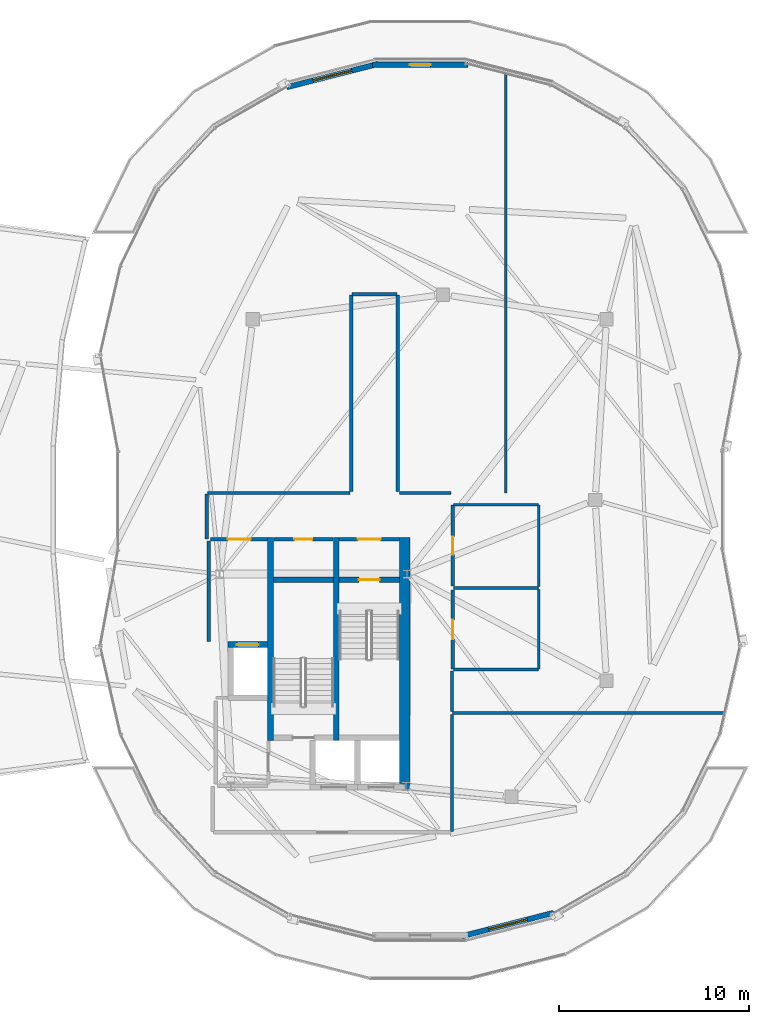
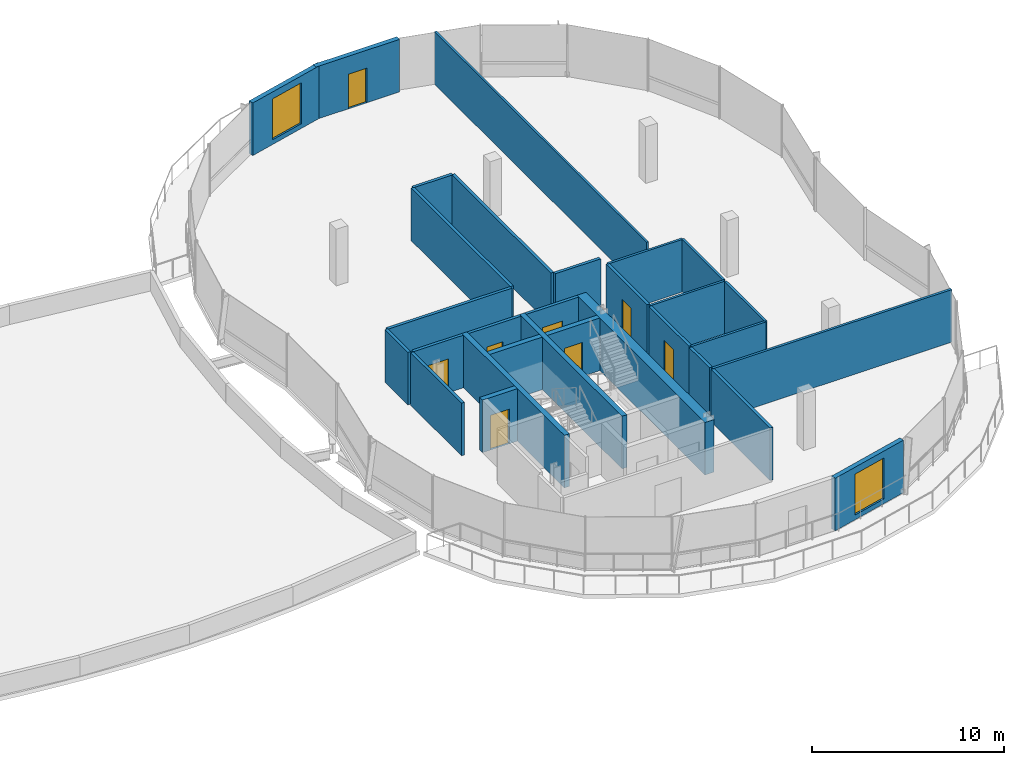
# One storey, part 22 of 31: 30 walls, 8 doors, 2 windows, 10 openings.
"""IFC4 building model written with IfcOpenShell, lengths in metres."""

from ifc_helpers import new_model, si_unit, direction, frame, frame_2d, origin, place, context, subcontext, project, spatial, rectangle, extrude, material, layer, layer_set, type_object, element, fill, save


model = new_model("IFC4")

# Units and contexts
model_context = context("Model", 3, precision=1e-05, world=origin(), true_north=direction((0.0, 1.0)))
body_context = subcontext(model_context, "Body", "Model", "MODEL_VIEW")
ifc_project = project(units=[si_unit("LENGTHUNIT", "METRE"), si_unit("AREAUNIT", "SQUARE_METRE"), si_unit("VOLUMEUNIT", "CUBIC_METRE"), si_unit("PLANEANGLEUNIT", "RADIAN"), si_unit("MASSUNIT", "GRAM", prefix="KILO"), si_unit("THERMODYNAMICTEMPERATUREUNIT", "KELVIN"), si_unit("POWERUNIT", "WATT")], contexts=[model_context])

# Site, building, storey
site_placement = place(None, origin())
site = spatial("IfcSite", under=ifc_project, at=site_placement, CompositionType="ELEMENT")
building_placement = place(site_placement, origin())
building = spatial("IfcBuilding", under=site, at=building_placement, Name="Cundina Bronze Exchange", CompositionType="ELEMENT")
storey_placement = place(building_placement, frame((0.0, 0.0, 275.60009765625)))
storey = spatial("IfcBuildingStorey", under=building, at=storey_placement, Name="L73", CompositionType="ELEMENT", Elevation=275.60009765625)

# Wall
ifc_material_1 = material(Name="Gypsum Fireboard Partition EI120")
ifc_layer_1 = layer(ifc_material_1, 0.179931640625, Name="Gypsum Fireboard Partition EI120")
ifc_layer_set_1 = layer_set([ifc_layer_1], Name="Gypsum Fireboard Partition EI120")
wall_type_1 = type_object("IfcWallType", Name="WL-COR-180", PredefinedType="PARTITIONING", material=ifc_layer_set_1)
wall_1_placement = place(storey_placement, frame((20.889892578125, -7.449951171875, 0.0), z_axis=(0.0, 0.0, 1.0), x_axis=(0.0, 1.0, 0.0)))
element("IfcWall", 1, at=wall_1_placement, inside=storey, type_object=wall_type_1, Name="L73 E Firefighting Lobby Side Wall", PredefinedType="PARTITIONING", context=body_context, shape_type="SweptSolid", body=[
    extrude(rectangle(XDim=5.300048828125, YDim=0.179931640625, at=frame_2d((2.64990234375, 0.0))), origin(), (0.0, 0.0, 1.0), 3.33984375),
])

# Wall, opening, door
wall_2_placement = place(storey_placement, frame((20.97998046875, -2.06005859375, 0.0), z_axis=(0.0, 0.0, 1.0), x_axis=(1.0, 0.0, 0.0)))
wall_2 = element("IfcWall", 2, at=wall_2_placement, inside=storey, type_object=wall_type_1, Name="L73 E Firefighting Lobby Exit Wall", PredefinedType="PARTITIONING", context=body_context, shape_type="SweptSolid", body=[
    extrude(rectangle(XDim=3.0, YDim=0.179931640625, at=frame_2d((1.5, 0.0))), origin(), (0.0, 0.0, 1.0), 3.33984375),
])
opening_1_placement = place(wall_2_placement, frame((0.89990234375, 0.0, 0.0)))
opening_1 = element("IfcOpeningElement", 3, at=opening_1_placement, cuts=wall_2, Name="Opening DF-01", PredefinedType="OPENING", context=body_context, shape_type="SweptSolid", body=[
    extrude(rectangle(XDim=1.199951171875, YDim=2.14990234375, at=frame_2d((0.60009765625, 1.074951171875))), frame((0.0, 0.099853515625, 0.0), z_axis=(0.0, -1.0, 0.0), x_axis=(1.0, 0.0, 0.0)), (0.0, 0.0, 1.0), 0.199951171875),
])
ifc_material_2 = material(Name="Steel ASTM A36 Painted", Category="steel")
door_type_1 = type_object("IfcDoorType", Name="DR-FFL-1200", OperationType="NOTDEFINED", PredefinedType="DOOR", material=ifc_material_2)
door_1_placement = place(opening_1_placement, origin())
door_1 = element("IfcDoor", 4, at=door_1_placement, inside=storey, type_object=door_type_1, Name="L73 E Firefighting Lobby Door", OperationType="SINGLE_SWING_LEFT", OverallHeight=2.14990234375, OverallWidth=1.199951171875, PredefinedType="DOOR", context=body_context, shape_type="SweptSolid", body=[
    extrude(rectangle(XDim=1.199951171875, YDim=2.14990234375, at=frame_2d((0.60009765625, 1.074951171875))), frame((0.0, 0.02490234375, 0.0), z_axis=(0.0, -1.0, 0.0), x_axis=(1.0, 0.0, 0.0)), (0.0, 0.0, 1.0), 0.050048828125),
])
fill(opening_1, door_1)

wall_3_placement = place(storey_placement, frame((27.739990234375, -2.06005859375, 0.0), z_axis=(0.0, 0.0, 1.0), x_axis=(1.0, 0.0, 0.0)))
wall_3 = element("IfcWall", 5, at=wall_3_placement, inside=storey, type_object=wall_type_1, Name="L73 E Stair Vestibule Exit Wall", PredefinedType="PARTITIONING", context=body_context, shape_type="SweptSolid", body=[
    extrude(rectangle(XDim=3.159912109375, YDim=0.179931640625, at=frame_2d((1.580078125, 0.0))), origin(), (0.0, 0.0, 1.0), 3.33984375),
])
opening_2_placement = place(wall_3_placement, frame((0.97998046875, 0.0, 0.0)))
opening_2 = element("IfcOpeningElement", 6, at=opening_2_placement, cuts=wall_3, Name="Opening DF-01", PredefinedType="OPENING", context=body_context, shape_type="SweptSolid", body=[
    extrude(rectangle(XDim=1.199951171875, YDim=2.14990234375, at=frame_2d((0.60009765625, 1.074951171875))), frame((0.0, 0.099853515625, 0.0), z_axis=(0.0, -1.0, 0.0), x_axis=(1.0, 0.0, 0.0)), (0.0, 0.0, 1.0), 0.199951171875),
])
door_2_placement = place(opening_2_placement, origin())
door_2 = element("IfcDoor", 7, at=door_2_placement, inside=storey, type_object=door_type_1, Name="L73 E Stair Vestibule Door", OperationType="SINGLE_SWING_RIGHT", OverallHeight=2.14990234375, OverallWidth=1.199951171875, PredefinedType="DOOR", context=body_context, shape_type="SweptSolid", body=[
    extrude(rectangle(XDim=1.199951171875, YDim=2.14990234375, at=frame_2d((0.60009765625, 1.074951171875))), frame((0.0, 0.02490234375, 0.0), z_axis=(0.0, -1.0, 0.0), x_axis=(1.0, 0.0, 0.0)), (0.0, 0.0, 1.0), 0.050048828125),
])
fill(opening_2, door_2)

wall_4_placement = place(storey_placement, frame((24.300048828125, -2.070068359375, 0.0), z_axis=(0.0, 0.0, 1.0), x_axis=(1.0, 0.0, 0.0)))
wall_4 = element("IfcWall", 8, at=wall_4_placement, inside=storey, type_object=wall_type_1, Name="L73 Interior Partition 027", PredefinedType="PARTITIONING", context=body_context, shape_type="SweptSolid", body=[
    extrude(rectangle(XDim=3.119873046875, YDim=0.179931640625, at=frame_2d((1.56005859375, 0.0))), origin(), (0.0, 0.0, 1.0), 3.33984375),
])
opening_3_placement = place(wall_4_placement, frame((1.0849609375, 0.0, 0.0)))
opening_3 = element("IfcOpeningElement", 9, at=opening_3_placement, cuts=wall_4, Name="Opening DW-01", PredefinedType="OPENING", context=body_context, shape_type="SweptSolid", body=[
    extrude(rectangle(XDim=0.949951171875, YDim=2.10009765625, at=frame_2d((0.47509765625, 1.050048828125))), frame((0.0, 0.099853515625, 0.0), z_axis=(0.0, -1.0, 0.0), x_axis=(1.0, 0.0, 0.0)), (0.0, 0.0, 1.0), 0.199951171875),
])
ifc_material_3 = material(Name="Solid Andean Oak Timber Grade A", Category="wood")
door_type_2 = type_object("IfcDoorType", Name="DR-WC-950", OperationType="NOTDEFINED", PredefinedType="DOOR", material=ifc_material_3)
door_3_placement = place(opening_3_placement, origin())
door_3 = element("IfcDoor", 10, at=door_3_placement, inside=storey, type_object=door_type_2, Name="L73 Interior Door 027", OperationType="SINGLE_SWING_RIGHT", OverallHeight=2.10009765625, OverallWidth=0.949951171875, PredefinedType="DOOR", context=body_context, shape_type="SweptSolid", body=[
    extrude(rectangle(XDim=0.949951171875, YDim=2.10009765625, at=frame_2d((0.47509765625, 1.050048828125))), frame((0.0, 0.02490234375, 0.0), z_axis=(0.0, -1.0, 0.0), x_axis=(1.0, 0.0, 0.0)), (0.0, 0.0, 1.0), 0.050048828125),
])
fill(opening_3, door_3)

wall_5_placement = place(storey_placement, frame((33.719970703125, -4.530029296875, 0.0), z_axis=(0.0, 0.0, 1.0), x_axis=(0.0, 1.0, 0.0)))
wall_5 = element("IfcWall", 11, at=wall_5_placement, inside=storey, type_object=wall_type_1, Name="L73 Interior Partition 034", PredefinedType="PARTITIONING", context=body_context, shape_type="SweptSolid", body=[
    extrude(rectangle(XDim=4.260009765625, YDim=0.179931640625, at=frame_2d((2.1298828125, 0.0))), origin(), (0.0, 0.0, 1.0), 3.33984375),
])
opening_4_placement = place(wall_5_placement, frame((1.655029296875, 0.0, 0.0)))
opening_4 = element("IfcOpeningElement", 12, at=opening_4_placement, cuts=wall_5, Name="Opening DW-01", PredefinedType="OPENING", context=body_context, shape_type="SweptSolid", body=[
    extrude(rectangle(XDim=0.949951171875, YDim=2.10009765625, at=frame_2d((0.47509765625, 1.050048828125))), frame((0.0, 0.099853515625, 0.0), z_axis=(0.0, -1.0, 0.0), x_axis=(1.0, 0.0, 0.0)), (0.0, 0.0, 1.0), 0.199951171875),
])
door_4_placement = place(opening_4_placement, origin())
door_4 = element("IfcDoor", 13, at=door_4_placement, inside=storey, type_object=door_type_2, Name="L73 Interior Door 034", OperationType="SINGLE_SWING_RIGHT", OverallHeight=2.10009765625, OverallWidth=0.949951171875, PredefinedType="DOOR", context=body_context, shape_type="SweptSolid", body=[
    extrude(rectangle(XDim=0.949951171875, YDim=2.10009765625, at=frame_2d((0.47509765625, 1.050048828125))), frame((0.0, 0.02490234375, 0.0), z_axis=(0.0, -1.0, 0.0), x_axis=(1.0, 0.0, 0.0)), (0.0, 0.0, 1.0), 0.050048828125),
])
fill(opening_4, door_4)

wall_6_placement = place(storey_placement, frame((33.719970703125, -8.889892578125, 0.0), z_axis=(0.0, 0.0, 1.0), x_axis=(0.0, 1.0, 0.0)))
wall_6 = element("IfcWall", 14, at=wall_6_placement, inside=storey, type_object=wall_type_1, Name="L73 Interior Partition 035", PredefinedType="PARTITIONING", context=body_context, shape_type="SweptSolid", body=[
    extrude(rectangle(XDim=4.159912109375, YDim=0.179931640625, at=frame_2d((2.080078125, 0.0))), origin(), (0.0, 0.0, 1.0), 3.33984375),
])
opening_5_placement = place(wall_6_placement, frame((1.580078125, 0.0, 0.0)))
opening_5 = element("IfcOpeningElement", 15, at=opening_5_placement, cuts=wall_6, Name="Opening DO-01", PredefinedType="OPENING", context=body_context, shape_type="SweptSolid", body=[
    extrude(rectangle(XDim=1.0, YDim=2.14990234375, at=frame_2d((0.5, 1.074951171875))), frame((0.0, 0.099853515625, 0.0), z_axis=(0.0, -1.0, 0.0), x_axis=(1.0, 0.0, 0.0)), (0.0, 0.0, 1.0), 0.199951171875),
])
door_type_3 = type_object("IfcDoorType", Name="DR-OFF-1000", OperationType="NOTDEFINED", PredefinedType="DOOR", material=ifc_material_3)
door_5_placement = place(opening_5_placement, origin())
door_5 = element("IfcDoor", 16, at=door_5_placement, inside=storey, type_object=door_type_3, Name="L73 Interior Door 035", OperationType="SINGLE_SWING_RIGHT", OverallHeight=2.14990234375, OverallWidth=1.0, PredefinedType="DOOR", context=body_context, shape_type="SweptSolid", body=[
    extrude(rectangle(XDim=1.0, YDim=2.14990234375, at=frame_2d((0.5, 1.074951171875))), frame((0.0, 0.02490234375, 0.0), z_axis=(0.0, -1.0, 0.0), x_axis=(1.0, 0.0, 0.0)), (0.0, 0.0, 1.0), 0.050048828125),
])
fill(opening_5, door_5)

# Walls
for number, where, z_axis, x_axis, name in (
    (17, (30.820068359375, 0.449951171875, 0.0), (0.0, 0.0, 1.0), (0.0, 1.0, 0.0), "L73 Interior Partition 039"),
    (18, (28.3798828125, 10.778564453125, 0.0), (0.0, 0.0, 1.0), (0.0, -1.0, 0.0), "L73 Interior Partition 040"),
):
    element("IfcWall", number, at=place(storey_placement, frame(where, z_axis=z_axis, x_axis=x_axis)), inside=storey, type_object=wall_type_1, Name=name, PredefinedType="PARTITIONING", context=body_context, shape_type="SweptSolid", body=[
        extrude(rectangle(XDim=10.32861328125, YDim=0.179931640625, at=frame_2d((5.164306640625, 0.0))), origin(), (0.0, 0.0, 1.0), 3.33984375),
    ])
wall_7_placement = place(storey_placement, frame((28.300048828125, 0.3701171875, 0.0), z_axis=(0.0, 0.0, 1.0), x_axis=(-1.0, 0.0, 0.0)))
element("IfcWall", 19, at=wall_7_placement, inside=storey, type_object=wall_type_1, Name="L73 Interior Partition 041", PredefinedType="PARTITIONING", context=body_context, shape_type="SweptSolid", body=[
    extrude(rectangle(XDim=7.478515625, YDim=0.179931640625, at=frame_2d((3.7392578125, 0.0))), origin(), (0.0, 0.0, 1.0), 3.33984375),
])
wall_8_placement = place(storey_placement, frame((33.669921875, -17.428466796875, 0.0), z_axis=(0.0, 0.0, 1.0), x_axis=(0.0, 1.0, 0.0)))
element("IfcWall", 20, at=wall_8_placement, inside=storey, type_object=wall_type_1, Name="L73 Interior Partition 042", PredefinedType="PARTITIONING", context=body_context, shape_type="SweptSolid", body=[
    extrude(rectangle(XDim=6.138427734375, YDim=0.179931640625, at=frame_2d((3.0693359375, 0.0))), origin(), (0.0, 0.0, 1.0), 3.33984375),
])
wall_9_placement = place(storey_placement, frame((33.62841796875, 0.3701171875, 0.0), z_axis=(0.0, 0.0, 1.0), x_axis=(-1.0, 0.0, 0.0)))
element("IfcWall", 21, at=wall_9_placement, inside=storey, type_object=wall_type_1, Name="L73 Interior Partition 043", PredefinedType="PARTITIONING", context=body_context, shape_type="SweptSolid", body=[
    extrude(rectangle(XDim=2.728515625, YDim=0.179931640625, at=frame_2d((1.3642578125, 0.0))), origin(), (0.0, 0.0, 1.0), 3.33984375),
])
wall_10_placement = place(storey_placement, frame((20.780029296875, 0.32861328125, 0.0), z_axis=(0.0, 0.0, 1.0), x_axis=(0.0, -1.0, 0.0)))
element("IfcWall", 22, at=wall_10_placement, inside=storey, type_object=wall_type_1, Name="L73 Interior Partition 044", PredefinedType="PARTITIONING", context=body_context, shape_type="SweptSolid", body=[
    extrude(rectangle(XDim=2.38720703125, YDim=0.179931640625, at=frame_2d((1.193603515625, 0.0))), origin(), (0.0, 0.0, 1.0), 3.33984375),
])
wall_11_placement = place(storey_placement, frame((30.778564453125, 10.820068359375, 0.0), z_axis=(0.0, 0.0, 1.0), x_axis=(-1.0, 0.0, 0.0)))
element("IfcWall", 23, at=wall_11_placement, inside=storey, type_object=wall_type_1, Name="L73 Interior Partition 045", PredefinedType="PARTITIONING", context=body_context, shape_type="SweptSolid", body=[
    extrude(rectangle(XDim=2.357177734375, YDim=0.179931640625, at=frame_2d((1.1787109375, 0.0))), origin(), (0.0, 0.0, 1.0), 3.33984375),
])
wall_12_placement = place(storey_placement, frame((33.669921875, -11.110107421875, 0.0), z_axis=(0.0, 0.0, 1.0), x_axis=(0.0, 1.0, 0.0)))
element("IfcWall", 24, at=wall_12_placement, inside=storey, type_object=wall_type_1, Name="L73 Interior Partition 047", PredefinedType="PARTITIONING", context=body_context, shape_type="SweptSolid", body=[
    extrude(rectangle(XDim=2.108642578125, YDim=0.179931640625, at=frame_2d((1.05419921875, 0.0))), origin(), (0.0, 0.0, 1.0), 3.33984375),
])
ifc_material_4 = material(Name="Concrete C50/60", Category="concrete")
ifc_layer_2 = layer(ifc_material_4, 0.550048828125, Name="Concrete C50/60", Category="concrete")
ifc_layer_set_2 = layer_set([ifc_layer_2], Name="Concrete C50/60")
wall_type_2 = type_object("IfcWallType", Name="WL-CORE-550", PredefinedType="SHEAR", material=ifc_layer_set_2)
wall_13_placement = place(storey_placement, frame((31.175048828125, -15.300048828125, 0.0), z_axis=(0.0, 0.0, 1.0), x_axis=(0.0, 1.0, 0.0)))
element("IfcWall", 25, at=wall_13_placement, inside=storey, type_object=wall_type_2, Name="L73 E Primary Core Shear Spine Wall", PredefinedType="SHEAR", context=body_context, shape_type="SweptSolid", body=[
    extrude(rectangle(XDim=13.330078125, YDim=0.550048828125, at=frame_2d((6.6650390625, 0.0))), origin(), (0.0, 0.0, 1.0), 3.33984375),
])

# Wall, opening, door
ifc_material_5 = material(Name="Precast Concrete C45/55", Category="concrete")
ifc_layer_3 = layer(ifc_material_5, 0.280029296875, Name="Precast Concrete C45/55", Category="concrete")
ifc_layer_set_3 = layer_set([ifc_layer_3], Name="Precast Concrete C45/55")
wall_type_3 = type_object("IfcWallType", Name="WL-EXT-280", PredefinedType="SOLIDWALL", material=ifc_layer_set_3)
wall_14_placement = place(storey_placement, frame((34.517578125, 22.894775390625, 0.0), z_axis=(0.0, 0.0, 1.0), x_axis=(-1.0, 0.0, 0.0)))
wall_14 = element("IfcWall", 26, at=wall_14_placement, inside=storey, type_object=wall_type_3, Name="L73 Leg E Crown Terrace Wall 06", PredefinedType="SOLIDWALL", context=body_context, shape_type="SweptSolid", body=[
    extrude(rectangle(XDim=5.03515625, YDim=0.280029296875, at=frame_2d((2.517578125, 0.0))), origin(), (0.0, 0.0, 1.0), 3.33984375),
])
opening_6_placement = place(wall_14_placement, frame((1.968017578125, 0.0, 0.0)))
opening_6 = element("IfcOpeningElement", 27, at=opening_6_placement, cuts=wall_14, Name="Opening DT-01", PredefinedType="OPENING", context=body_context, shape_type="SweptSolid", body=[
    extrude(rectangle(XDim=1.10009765625, YDim=2.199951171875, at=frame_2d((0.550048828125, 1.10009765625))), frame((0.0, 0.14990234375, 0.0), z_axis=(0.0, -1.0, 0.0), x_axis=(1.0, 0.0, 0.0)), (0.0, 0.0, 1.0), 0.300048828125),
])
ifc_material_6 = material(Name="Anodised Bronze Aluminium 6063-T6", Category="aluminium")
door_type_4 = type_object("IfcDoorType", Name="DR-TER-1100", OperationType="NOTDEFINED", PredefinedType="DOOR", material=ifc_material_6)
door_6_placement = place(opening_6_placement, origin())
door_6 = element("IfcDoor", 28, at=door_6_placement, inside=storey, type_object=door_type_4, Name="L73 Leg E Planted Terrace Access Door 06", OperationType="SINGLE_SWING_LEFT", OverallHeight=2.199951171875, OverallWidth=1.10009765625, PredefinedType="DOOR", context=body_context, shape_type="SweptSolid", body=[
    extrude(rectangle(XDim=1.10009765625, YDim=2.199951171875, at=frame_2d((0.550048828125, 1.10009765625))), frame((0.0, 0.02490234375, 0.0), z_axis=(0.0, -1.0, 0.0), x_axis=(1.0, 0.0, 0.0)), (0.0, 0.0, 1.0), 0.050048828125),
])
fill(opening_6, door_6)

# Wall, opening, window
wall_15_placement = place(storey_placement, frame((29.79736328125, 22.934326171875, 0.0), z_axis=(0.0, 0.0, 1.0), x_axis=(-0.96898479651, -0.247120343421, 0.0)))
wall_15 = element("IfcWall", 29, at=wall_15_placement, inside=storey, type_object=wall_type_3, Name="L73 Leg E Crown Feature Wall 07", PredefinedType="SOLIDWALL", context=body_context, shape_type="SweptSolid", body=[
    extrude(rectangle(XDim=4.971435546875, YDim=0.280029296875, at=frame_2d((2.48583984375, 0.0))), origin(), (0.0, 0.0, 1.0), 3.33984375),
])
opening_7_placement = place(wall_15_placement, frame((1.43603515625, 0.0, 0.300048828125)))
opening_7 = element("IfcOpeningElement", 30, at=opening_7_placement, cuts=wall_15, Name="Opening W-04", PredefinedType="OPENING", context=body_context, shape_type="SweptSolid", body=[
    extrude(rectangle(XDim=2.10009765625, YDim=2.60009765625, at=frame_2d((1.050048828125, 1.300048828125))), frame((0.0, 0.14990234375, 0.0), z_axis=(0.0, -1.0, 0.0), x_axis=(1.0, 0.0, 0.0)), (0.0, 0.0, 1.0), 0.300048828125),
])
ifc_material_7 = material(Name="Clear Low-E Insulating Glass 26mm", Category="glass")
window_type = type_object("IfcWindowType", Name="WN-CRN-2100", PartitioningType="SINGLE_PANEL", PredefinedType="WINDOW", material=ifc_material_7)
window_1_placement = place(opening_7_placement, origin())
window_1 = element("IfcWindow", 31, at=window_1_placement, inside=storey, type_object=window_type, Name="L73 Leg E Crown Pavilion Window 07", OverallHeight=2.60009765625, OverallWidth=2.10009765625, PartitioningType="SINGLE_PANEL", PredefinedType="WINDOW", context=body_context, shape_type="SweptSolid", body=[
    extrude(rectangle(XDim=2.10009765625, YDim=2.60009765625, at=frame_2d((1.050048828125, 1.300048828125))), frame((0.0, 0.030029296875, 0.0), z_axis=(0.0, -1.0, 0.0), x_axis=(1.0, 0.0, 0.0)), (0.0, 0.0, 1.0), 0.06005859375),
])
fill(opening_7, window_1)

wall_16_placement = place(storey_placement, frame((34.20263671875, -22.934326171875, 0.0), z_axis=(0.0, 0.0, 1.0), x_axis=(0.96898479651, 0.247120343421, 0.0)))
wall_16 = element("IfcWall", 32, at=wall_16_placement, inside=storey, type_object=wall_type_3, Name="L73 Leg E Crown Feature Wall 21", PredefinedType="SOLIDWALL", context=body_context, shape_type="SweptSolid", body=[
    extrude(rectangle(XDim=4.971435546875, YDim=0.280029296875, at=frame_2d((2.48583984375, 0.0))), origin(), (0.0, 0.0, 1.0), 3.33984375),
])
opening_8_placement = place(wall_16_placement, frame((1.43603515625, 0.0, 0.300048828125)))
opening_8 = element("IfcOpeningElement", 33, at=opening_8_placement, cuts=wall_16, Name="Opening W-04", PredefinedType="OPENING", context=body_context, shape_type="SweptSolid", body=[
    extrude(rectangle(XDim=2.10009765625, YDim=2.60009765625, at=frame_2d((1.050048828125, 1.300048828125))), frame((0.0, 0.14990234375, 0.0), z_axis=(0.0, -1.0, 0.0), x_axis=(1.0, 0.0, 0.0)), (0.0, 0.0, 1.0), 0.300048828125),
])
window_2_placement = place(opening_8_placement, origin())
window_2 = element("IfcWindow", 34, at=window_2_placement, inside=storey, type_object=window_type, Name="L73 Leg E Crown Pavilion Window 21", OverallHeight=2.60009765625, OverallWidth=2.10009765625, PartitioningType="SINGLE_PANEL", PredefinedType="WINDOW", context=body_context, shape_type="SweptSolid", body=[
    extrude(rectangle(XDim=2.10009765625, YDim=2.60009765625, at=frame_2d((1.050048828125, 1.300048828125))), frame((0.0, 0.030029296875, 0.0), z_axis=(0.0, -1.0, 0.0), x_axis=(1.0, 0.0, 0.0)), (0.0, 0.0, 1.0), 0.06005859375),
])
fill(opening_8, window_2)

# Walls
ifc_material_8 = material(Name="Gypsum Acoustic Partition EI60")
ifc_layer_4 = layer(ifc_material_8, 0.125, Name="Gypsum Acoustic Partition EI60")
ifc_layer_set_4 = layer_set([ifc_layer_4], Name="Gypsum Acoustic Partition EI60")
wall_type_4 = type_object("IfcWallType", Name="WL-OFF-125", PredefinedType="PARTITIONING", material=ifc_layer_set_4)
wall_17_placement = place(storey_placement, frame((36.5, 0.3701171875, 0.0), z_axis=(0.0, 0.0, 1.0), x_axis=(0.0, 1.0, 0.0)))
element("IfcWall", 35, at=wall_17_placement, inside=storey, type_object=wall_type_4, Name="L73 Interior Partition 036", PredefinedType="PARTITIONING", context=body_context, shape_type="SweptSolid", body=[
    extrude(rectangle(XDim=22.091552734375, YDim=0.125, at=frame_2d((11.0458984375, 0.0))), origin(), (0.0, 0.0, 1.0), 3.33984375),
])
ifc_layer_5 = layer(ifc_material_4, 0.300048828125, Name="Concrete C50/60", Category="concrete")
ifc_layer_set_5 = layer_set([ifc_layer_5], Name="Concrete C50/60")
wall_type_5 = type_object("IfcWallType", Name="WL-SHFT-300", PredefinedType="SHEAR", material=ifc_layer_set_5)
for number, where, z_axis, x_axis, name in (
    (36, (27.590087890625, -12.64990234375, 0.0), (0.0, 0.0, 1.0), (0.0, 1.0, 0.0), "L73 E Stair Shaft Dividing Shear Wall"),
    (37, (24.1298828125, -12.64990234375, 0.0), (0.0, 0.0, 1.0), (0.0, 1.0, 0.0), "L73 E Stair 2 East Shear Wall"),
):
    element("IfcWall", number, at=place(storey_placement, frame(where, z_axis=z_axis, x_axis=x_axis)), inside=storey, type_object=wall_type_5, Name=name, PredefinedType="SHEAR", context=body_context, shape_type="SweptSolid", body=[
        extrude(rectangle(XDim=10.679931640625, YDim=0.300048828125, at=frame_2d((5.33984375, 0.0))), origin(), (0.0, 0.0, 1.0), 3.33984375),
    ])

# Wall, opening, door
wall_18_placement = place(storey_placement, frame((27.739990234375, -4.199951171875, 0.0), z_axis=(0.0, 0.0, 1.0), x_axis=(1.0, 0.0, 0.0)))
wall_18 = element("IfcWall", 38, at=wall_18_placement, inside=storey, type_object=wall_type_5, Name="L73 Stair E1 Landing Wall", PredefinedType="SHEAR", context=body_context, shape_type="SweptSolid", body=[
    extrude(rectangle(XDim=3.159912109375, YDim=0.300048828125, at=frame_2d((1.580078125, 0.0))), origin(), (0.0, 0.0, 1.0), 3.33984375),
])
opening_9_placement = place(wall_18_placement, frame((1.030029296875, 0.0, 0.0)))
opening_9 = element("IfcOpeningElement", 39, at=opening_9_placement, cuts=wall_18, Name="Opening DS-01", PredefinedType="OPENING", context=body_context, shape_type="SweptSolid", body=[
    extrude(rectangle(XDim=1.10009765625, YDim=2.14990234375, at=frame_2d((0.550048828125, 1.074951171875))), frame((0.0, 0.159912109375, 0.0), z_axis=(0.0, -1.0, 0.0), x_axis=(1.0, 0.0, 0.0)), (0.0, 0.0, 1.0), 0.320068359375),
])
door_type_5 = type_object("IfcDoorType", Name="DR-STR-1100", OperationType="NOTDEFINED", PredefinedType="DOOR", material=ifc_material_2)
door_7_placement = place(opening_9_placement, origin())
door_7 = element("IfcDoor", 40, at=door_7_placement, inside=storey, type_object=door_type_5, Name="L73 Smokeproof Stair E1 Door", OperationType="SINGLE_SWING_LEFT", OverallHeight=2.14990234375, OverallWidth=1.10009765625, PredefinedType="DOOR", context=body_context, shape_type="SweptSolid", body=[
    extrude(rectangle(XDim=1.10009765625, YDim=2.14990234375, at=frame_2d((0.550048828125, 1.074951171875))), frame((0.0, 0.02490234375, 0.0), z_axis=(0.0, -1.0, 0.0), x_axis=(1.0, 0.0, 0.0)), (0.0, 0.0, 1.0), 0.050048828125),
])
fill(opening_9, door_7)

# Wall
wall_19_placement = place(storey_placement, frame((24.280029296875, -4.199951171875, 0.0), z_axis=(0.0, 0.0, 1.0), x_axis=(1.0, 0.0, 0.0)))
element("IfcWall", 41, at=wall_19_placement, inside=storey, type_object=wall_type_5, Name="L73 Stair E2 Far Shaft Wall", PredefinedType="SHEAR", context=body_context, shape_type="SweptSolid", body=[
    extrude(rectangle(XDim=3.159912109375, YDim=0.300048828125, at=frame_2d((1.580078125, 0.0))), origin(), (0.0, 0.0, 1.0), 3.33984375),
])

# Wall, opening, door
wall_20_placement = place(storey_placement, frame((21.8798828125, -7.60009765625, 0.0), z_axis=(0.0, 0.0, 1.0), x_axis=(1.0, 0.0, 0.0)))
wall_20 = element("IfcWall", 42, at=wall_20_placement, inside=storey, type_object=wall_type_5, Name="L73 FFL-E Hoistway Front Wall", PredefinedType="SHEAR", context=body_context, shape_type="SweptSolid", body=[
    extrude(rectangle(XDim=2.10009765625, YDim=0.300048828125, at=frame_2d((1.050048828125, 0.0))), origin(), (0.0, 0.0, 1.0), 3.33984375),
])
opening_10_placement = place(wall_20_placement, frame((0.47509765625, 0.0, 0.0)))
opening_10 = element("IfcOpeningElement", 43, at=opening_10_placement, cuts=wall_20, Name="Opening LD-01", PredefinedType="OPENING", context=body_context, shape_type="SweptSolid", body=[
    extrude(rectangle(XDim=1.14990234375, YDim=2.199951171875, at=frame_2d((0.574951171875, 1.10009765625))), frame((0.0, 0.159912109375, 0.0), z_axis=(0.0, -1.0, 0.0), x_axis=(1.0, 0.0, 0.0)), (0.0, 0.0, 1.0), 0.320068359375),
])
door_type_6 = type_object("IfcDoorType", Name="DR-LND-1150", OperationType="NOTDEFINED", PredefinedType="TRAPDOOR", material=ifc_material_2)
door_8_placement = place(opening_10_placement, origin())
door_8 = element("IfcDoor", 44, at=door_8_placement, inside=storey, type_object=door_type_6, Name="L73 FFL-E Sliding Landing Door", OperationType="SLIDING_TO_LEFT", OverallHeight=2.199951171875, OverallWidth=1.14990234375, PredefinedType="TRAPDOOR", context=body_context, shape_type="SweptSolid", body=[
    extrude(rectangle(XDim=1.14990234375, YDim=2.199951171875, at=frame_2d((0.574951171875, 1.10009765625))), frame((0.0, 0.02490234375, 0.0), z_axis=(0.0, -1.0, 0.0), x_axis=(1.0, 0.0, 0.0)), (0.0, 0.0, 1.0), 0.050048828125),
])
fill(opening_10, door_8)

# Walls
ifc_layer_6 = layer(ifc_material_8, 0.14990234375, Name="Gypsum Acoustic Partition EI60")
ifc_layer_set_6 = layer_set([ifc_layer_6], Name="Gypsum Acoustic Partition EI60")
wall_type_6 = type_object("IfcWallType", Name="WL-TEN-150", PredefinedType="PARTITIONING", material=ifc_layer_set_6)
wall_21_placement = place(storey_placement, frame((33.699951171875, -11.199951171875, 0.0), z_axis=(0.0, 0.0, 1.0), x_axis=(1.0, 0.0, 0.0)))
element("IfcWall", 45, at=wall_21_placement, inside=storey, type_object=wall_type_6, Name="L73 Interior Partition 037", PredefinedType="PARTITIONING", context=body_context, shape_type="SweptSolid", body=[
    extrude(rectangle(XDim=14.358154296875, YDim=0.14990234375, at=frame_2d((7.17919921875, 0.0))), origin(), (0.0, 0.0, 1.0), 3.33984375),
])
ifc_material_9 = material(Name="Moisture-Resistant Masonry Block Grade M15", Category="masonry")
ifc_layer_7 = layer(ifc_material_9, 0.139892578125, Name="Moisture-Resistant Masonry Block Grade M15", Category="masonry")
ifc_layer_set_7 = layer_set([ifc_layer_7], Name="Moisture-Resistant Masonry Block Grade M15")
wall_type_7 = type_object("IfcWallType", Name="WL-WET-140", PredefinedType="PARTITIONING", material=ifc_layer_set_7)
wall_22_placement = place(storey_placement, frame((38.239990234375, -8.889892578125, 0.0), z_axis=(0.0, 0.0, 1.0), x_axis=(0.0, 1.0, 0.0)))
element("IfcWall", 46, at=wall_22_placement, inside=storey, type_object=wall_type_7, Name="L73 Interior Partition 029", PredefinedType="PARTITIONING", context=body_context, shape_type="SweptSolid", body=[
    extrude(rectangle(XDim=4.1748046875, YDim=0.139892578125, at=frame_2d((2.08740234375, 0.0))), origin(), (0.0, 0.0, 1.0), 3.33984375),
])
wall_23_placement = place(storey_placement, frame((38.239990234375, -4.544921875, 0.0), z_axis=(0.0, 0.0, 1.0), x_axis=(0.0, 1.0, 0.0)))
element("IfcWall", 47, at=wall_23_placement, inside=storey, type_object=wall_type_7, Name="L73 Interior Partition 030", PredefinedType="PARTITIONING", context=body_context, shape_type="SweptSolid", body=[
    extrude(rectangle(XDim=4.27490234375, YDim=0.139892578125, at=frame_2d((2.137451171875, 0.0))), origin(), (0.0, 0.0, 1.0), 3.33984375),
])
for number, where, z_axis, x_axis, name in (
    (48, (33.739990234375, -0.25, 0.0), (0.0, 0.0, 1.0), (1.0, 0.0, 0.0), "L73 Interior Partition 031"),
    (49, (33.739990234375, -4.6298828125, 0.0), (0.0, 0.0, 1.0), (1.0, 0.0, 0.0), "L73 Interior Partition 032"),
    (50, (33.739990234375, -8.909912109375, 0.0), (0.0, 0.0, 1.0), (1.0, 0.0, 0.0), "L73 Interior Partition 033"),
):
    element("IfcWall", number, at=place(storey_placement, frame(where, z_axis=z_axis, x_axis=x_axis)), inside=storey, type_object=wall_type_7, Name=name, PredefinedType="PARTITIONING", context=body_context, shape_type="SweptSolid", body=[
        extrude(rectangle(XDim=4.47998046875, YDim=0.139892578125, at=frame_2d((2.239990234375, 0.0))), origin(), (0.0, 0.0, 1.0), 3.33984375),
    ])

save(model, "model.ifc")
